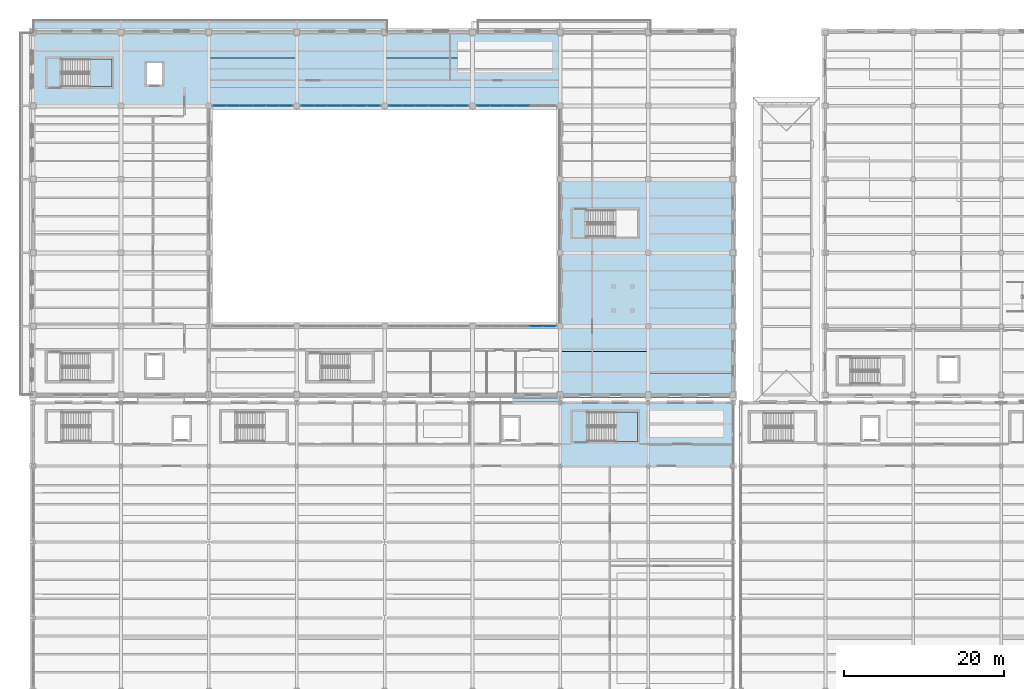
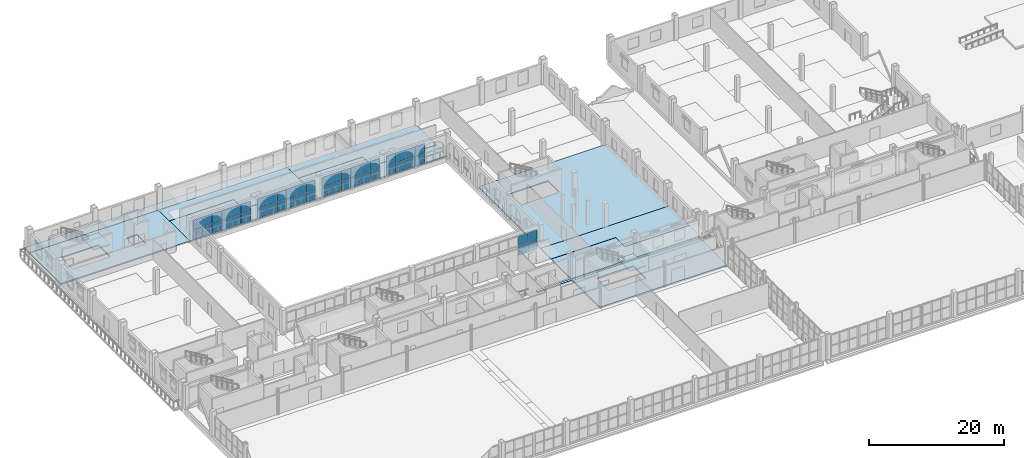
# One storey, part 106 of 156: 48 plates, 13 slabs, 7 elements without a shape of their own.
"""IFC4 building model written with IfcOpenShell, lengths in metres."""

from ifc_helpers import new_model, si_unit, direction, frame, origin, origin_2d, place, context, subcontext, project, spatial, polyline, rectangle, outline, extrude, material, layer, layer_set, type_object, element, aggregate, save


model = new_model("IFC4")

# Units and contexts
model_context = context("Model", 3, precision=1e-05, world=origin(), true_north=direction((0.0, 1.0)))
body_context = subcontext(model_context, "Body", "Model", "MODEL_VIEW")
ifc_project = project(units=[si_unit("LENGTHUNIT", "METRE"), si_unit("AREAUNIT", "SQUARE_METRE"), si_unit("VOLUMEUNIT", "CUBIC_METRE"), si_unit("PLANEANGLEUNIT", "RADIAN"), si_unit("MASSUNIT", "GRAM", prefix="KILO")], contexts=[model_context])

# Site, building, storey
site_placement = place(None, origin())
site = spatial("IfcSite", under=ifc_project, at=site_placement, CompositionType="ELEMENT")
building_placement = place(site_placement, origin())
building = spatial("IfcBuilding", under=site, at=building_placement, Name="Caurita Quay Ferry Terminal", CompositionType="ELEMENT")
storey_placement = place(building_placement, frame((0.0, 0.0, 5.39990234375)))
storey = spatial("IfcBuildingStorey", under=building, at=storey_placement, Name="L01", CompositionType="ELEMENT", Elevation=5.39990234375)

# Curtain wall, plates
ifc_material_1 = material(Name="Laminated solar-control insulated glass", Category="glass")
curtain_wall_type = type_object("IfcCurtainWallType", Name="CW-SYS-23", PredefinedType="NOTDEFINED", material=ifc_material_1)
curtain_wall_1_placement = place(storey_placement, origin())
curtain_wall_1 = element("IfcCurtainWall", 1, at=curtain_wall_1_placement, inside=storey, type_object=curtain_wall_type, Name="L01 Courtyard Cloister Storefront 159", PredefinedType="NOTDEFINED")
ifc_layer_1 = layer(ifc_material_1, 0.02392578125, Name="Laminated low-e hurricane-rated glazing unit 24 mm")
ifc_layer_set_1 = layer_set([ifc_layer_1], Name="Laminated solar-control insulated glass")
plate_type = type_object("IfcPlateType", Name="CW-PNL-24", PredefinedType="CURTAIN_PANEL", material=ifc_layer_set_1)
plate_1_placement = place(storey_placement, frame((62.97509765625, 80.199951171875, 0.05810546875), z_axis=(0.0, 0.0, 1.0), x_axis=(1.0, 0.0, 0.0)))
plate_1 = element("IfcPlate", 2, at=plate_1_placement, type_object=plate_type, Name="CW-CRT-159 Glazing Panel 9", PredefinedType="CURTAIN_PANEL", context=body_context, shape_type="SweptSolid", body=[
    extrude(rectangle(XDim=1.593994140625, YDim=0.02392578125, at=origin_2d()), origin(), (0.0, 0.0, 1.0), 1.714111328125),
])
plate_2_placement = place(storey_placement, frame((62.97509765625, 80.199951171875, 1.828125), z_axis=(0.0, 0.0, 1.0), x_axis=(1.0, 0.0, 0.0)))
plate_2 = element("IfcPlate", 3, at=plate_2_placement, type_object=plate_type, Name="CW-CRT-159 Glazing Panel 10", PredefinedType="CURTAIN_PANEL", context=body_context, shape_type="SweptSolid", body=[
    extrude(rectangle(XDim=1.593994140625, YDim=0.02392578125, at=origin_2d()), origin(), (0.0, 0.0, 1.0), 1.714111328125),
])
plate_3_placement = place(storey_placement, frame((64.610107421875, 80.199951171875, 0.05810546875), z_axis=(0.0, 0.0, 1.0), x_axis=(1.0, 0.0, 0.0)))
plate_3 = element("IfcPlate", 4, at=plate_3_placement, type_object=plate_type, Name="CW-CRT-159 Glazing Panel 11", PredefinedType="CURTAIN_PANEL", context=body_context, shape_type="SweptSolid", body=[
    extrude(rectangle(XDim=1.56396484375, YDim=0.02392578125, at=origin_2d()), origin(), (0.0, 0.0, 1.0), 1.714111328125),
])
plate_4_placement = place(storey_placement, frame((64.610107421875, 80.199951171875, 1.828125), z_axis=(0.0, 0.0, 1.0), x_axis=(1.0, 0.0, 0.0)))
plate_4 = element("IfcPlate", 5, at=plate_4_placement, type_object=plate_type, Name="CW-CRT-159 Glazing Panel 12", PredefinedType="CURTAIN_PANEL", context=body_context, shape_type="SweptSolid", body=[
    extrude(rectangle(XDim=1.56396484375, YDim=0.02392578125, at=origin_2d()), origin(), (0.0, 0.0, 1.0), 1.714111328125),
])
aggregate(curtain_wall_1, [plate_1, plate_2, plate_3, plate_4])

curtain_wall_2_placement = place(storey_placement, origin())
curtain_wall_2 = element("IfcCurtainWall", 6, at=curtain_wall_2_placement, inside=storey, type_object=curtain_wall_type, Name="L01 Courtyard Cloister Storefront 160", PredefinedType="NOTDEFINED")
plate_5_placement = place(storey_placement, frame((23.389892578125, 107.800048828125, 0.05810546875), z_axis=(0.0, 0.0, 1.0), x_axis=(1.0, 0.0, 0.0)))
plate_5 = element("IfcPlate", 7, at=plate_5_placement, type_object=plate_type, Name="CW-CRT-160 Glazing Panel 1", PredefinedType="CURTAIN_PANEL", context=body_context, shape_type="SweptSolid", body=[
    extrude(rectangle(XDim=1.56396484375, YDim=0.02392578125, at=origin_2d()), origin(), (0.0, 0.0, 1.0), 1.714111328125),
])
plate_6_placement = place(storey_placement, frame((23.389892578125, 107.800048828125, 1.828125), z_axis=(0.0, 0.0, 1.0), x_axis=(1.0, 0.0, 0.0)))
plate_6 = element("IfcPlate", 8, at=plate_6_placement, type_object=plate_type, Name="CW-CRT-160 Glazing Panel 2", PredefinedType="CURTAIN_PANEL", context=body_context, shape_type="SweptSolid", body=[
    extrude(rectangle(XDim=1.56396484375, YDim=0.02392578125, at=origin_2d()), origin(), (0.0, 0.0, 1.0), 1.714111328125),
])
plate_7_placement = place(storey_placement, frame((25.02490234375, 107.800048828125, 0.05810546875), z_axis=(0.0, 0.0, 1.0), x_axis=(1.0, 0.0, 0.0)))
plate_7 = element("IfcPlate", 9, at=plate_7_placement, type_object=plate_type, Name="CW-CRT-160 Glazing Panel 3", PredefinedType="CURTAIN_PANEL", context=body_context, shape_type="SweptSolid", body=[
    extrude(rectangle(XDim=1.593994140625, YDim=0.02392578125, at=origin_2d()), origin(), (0.0, 0.0, 1.0), 1.714111328125),
])
plate_8_placement = place(storey_placement, frame((25.02490234375, 107.800048828125, 1.828125), z_axis=(0.0, 0.0, 1.0), x_axis=(1.0, 0.0, 0.0)))
plate_8 = element("IfcPlate", 10, at=plate_8_placement, type_object=plate_type, Name="CW-CRT-160 Glazing Panel 4", PredefinedType="CURTAIN_PANEL", context=body_context, shape_type="SweptSolid", body=[
    extrude(rectangle(XDim=1.593994140625, YDim=0.02392578125, at=origin_2d()), origin(), (0.0, 0.0, 1.0), 1.714111328125),
])
plate_9_placement = place(storey_placement, frame((26.675048828125, 107.800048828125, 0.05810546875), z_axis=(0.0, 0.0, 1.0), x_axis=(1.0, 0.0, 0.0)))
plate_9 = element("IfcPlate", 11, at=plate_9_placement, type_object=plate_type, Name="CW-CRT-160 Glazing Panel 5", PredefinedType="CURTAIN_PANEL", context=body_context, shape_type="SweptSolid", body=[
    extrude(rectangle(XDim=1.593994140625, YDim=0.02392578125, at=origin_2d()), origin(), (0.0, 0.0, 1.0), 1.714111328125),
])
plate_10_placement = place(storey_placement, frame((26.675048828125, 107.800048828125, 1.828125), z_axis=(0.0, 0.0, 1.0), x_axis=(1.0, 0.0, 0.0)))
plate_10 = element("IfcPlate", 12, at=plate_10_placement, type_object=plate_type, Name="CW-CRT-160 Glazing Panel 6", PredefinedType="CURTAIN_PANEL", context=body_context, shape_type="SweptSolid", body=[
    extrude(rectangle(XDim=1.593994140625, YDim=0.02392578125, at=origin_2d()), origin(), (0.0, 0.0, 1.0), 1.714111328125),
])
plate_11_placement = place(storey_placement, frame((28.324951171875, 107.800048828125, 0.05810546875), z_axis=(0.0, 0.0, 1.0), x_axis=(1.0, 0.0, 0.0)))
plate_11 = element("IfcPlate", 13, at=plate_11_placement, type_object=plate_type, Name="CW-CRT-160 Glazing Panel 7", PredefinedType="CURTAIN_PANEL", context=body_context, shape_type="SweptSolid", body=[
    extrude(rectangle(XDim=1.593994140625, YDim=0.02392578125, at=origin_2d()), origin(), (0.0, 0.0, 1.0), 1.714111328125),
])
plate_12_placement = place(storey_placement, frame((28.324951171875, 107.800048828125, 1.828125), z_axis=(0.0, 0.0, 1.0), x_axis=(1.0, 0.0, 0.0)))
plate_12 = element("IfcPlate", 14, at=plate_12_placement, type_object=plate_type, Name="CW-CRT-160 Glazing Panel 8", PredefinedType="CURTAIN_PANEL", context=body_context, shape_type="SweptSolid", body=[
    extrude(rectangle(XDim=1.593994140625, YDim=0.02392578125, at=origin_2d()), origin(), (0.0, 0.0, 1.0), 1.714111328125),
])
plate_13_placement = place(storey_placement, frame((29.97509765625, 107.800048828125, 0.05810546875), z_axis=(0.0, 0.0, 1.0), x_axis=(1.0, 0.0, 0.0)))
plate_13 = element("IfcPlate", 15, at=plate_13_placement, type_object=plate_type, Name="CW-CRT-160 Glazing Panel 9", PredefinedType="CURTAIN_PANEL", context=body_context, shape_type="SweptSolid", body=[
    extrude(rectangle(XDim=1.593994140625, YDim=0.02392578125, at=origin_2d()), origin(), (0.0, 0.0, 1.0), 1.714111328125),
])
plate_14_placement = place(storey_placement, frame((29.97509765625, 107.800048828125, 1.828125), z_axis=(0.0, 0.0, 1.0), x_axis=(1.0, 0.0, 0.0)))
plate_14 = element("IfcPlate", 16, at=plate_14_placement, type_object=plate_type, Name="CW-CRT-160 Glazing Panel 10", PredefinedType="CURTAIN_PANEL", context=body_context, shape_type="SweptSolid", body=[
    extrude(rectangle(XDim=1.593994140625, YDim=0.02392578125, at=origin_2d()), origin(), (0.0, 0.0, 1.0), 1.714111328125),
])
plate_15_placement = place(storey_placement, frame((31.610107421875, 107.800048828125, 0.05810546875), z_axis=(0.0, 0.0, 1.0), x_axis=(1.0, 0.0, 0.0)))
plate_15 = element("IfcPlate", 17, at=plate_15_placement, type_object=plate_type, Name="CW-CRT-160 Glazing Panel 11", PredefinedType="CURTAIN_PANEL", context=body_context, shape_type="SweptSolid", body=[
    extrude(rectangle(XDim=1.56396484375, YDim=0.02392578125, at=origin_2d()), origin(), (0.0, 0.0, 1.0), 1.714111328125),
])
plate_16_placement = place(storey_placement, frame((31.610107421875, 107.800048828125, 1.828125), z_axis=(0.0, 0.0, 1.0), x_axis=(1.0, 0.0, 0.0)))
plate_16 = element("IfcPlate", 18, at=plate_16_placement, type_object=plate_type, Name="CW-CRT-160 Glazing Panel 12", PredefinedType="CURTAIN_PANEL", context=body_context, shape_type="SweptSolid", body=[
    extrude(rectangle(XDim=1.56396484375, YDim=0.02392578125, at=origin_2d()), origin(), (0.0, 0.0, 1.0), 1.714111328125),
])
aggregate(curtain_wall_2, [plate_5, plate_6, plate_7, plate_8, plate_9, plate_10, plate_11, plate_12, plate_13, plate_14, plate_15, plate_16])

curtain_wall_3_placement = place(storey_placement, origin())
curtain_wall_3 = element("IfcCurtainWall", 19, at=curtain_wall_3_placement, inside=storey, type_object=curtain_wall_type, Name="L01 Courtyard Cloister Storefront 161", PredefinedType="NOTDEFINED")
plate_17_placement = place(storey_placement, frame((34.389892578125, 107.800048828125, 0.05810546875), z_axis=(0.0, 0.0, 1.0), x_axis=(1.0, 0.0, 0.0)))
plate_17 = element("IfcPlate", 20, at=plate_17_placement, type_object=plate_type, Name="CW-CRT-161 Glazing Panel 1", PredefinedType="CURTAIN_PANEL", context=body_context, shape_type="SweptSolid", body=[
    extrude(rectangle(XDim=1.56396484375, YDim=0.02392578125, at=origin_2d()), origin(), (0.0, 0.0, 1.0), 1.714111328125),
])
plate_18_placement = place(storey_placement, frame((34.389892578125, 107.800048828125, 1.828125), z_axis=(0.0, 0.0, 1.0), x_axis=(1.0, 0.0, 0.0)))
plate_18 = element("IfcPlate", 21, at=plate_18_placement, type_object=plate_type, Name="CW-CRT-161 Glazing Panel 2", PredefinedType="CURTAIN_PANEL", context=body_context, shape_type="SweptSolid", body=[
    extrude(rectangle(XDim=1.56396484375, YDim=0.02392578125, at=origin_2d()), origin(), (0.0, 0.0, 1.0), 1.714111328125),
])
plate_19_placement = place(storey_placement, frame((36.02490234375, 107.800048828125, 0.05810546875), z_axis=(0.0, 0.0, 1.0), x_axis=(1.0, 0.0, 0.0)))
plate_19 = element("IfcPlate", 22, at=plate_19_placement, type_object=plate_type, Name="CW-CRT-161 Glazing Panel 3", PredefinedType="CURTAIN_PANEL", context=body_context, shape_type="SweptSolid", body=[
    extrude(rectangle(XDim=1.593994140625, YDim=0.02392578125, at=origin_2d()), origin(), (0.0, 0.0, 1.0), 1.714111328125),
])
plate_20_placement = place(storey_placement, frame((36.02490234375, 107.800048828125, 1.828125), z_axis=(0.0, 0.0, 1.0), x_axis=(1.0, 0.0, 0.0)))
plate_20 = element("IfcPlate", 23, at=plate_20_placement, type_object=plate_type, Name="CW-CRT-161 Glazing Panel 4", PredefinedType="CURTAIN_PANEL", context=body_context, shape_type="SweptSolid", body=[
    extrude(rectangle(XDim=1.593994140625, YDim=0.02392578125, at=origin_2d()), origin(), (0.0, 0.0, 1.0), 1.714111328125),
])
plate_21_placement = place(storey_placement, frame((37.675048828125, 107.800048828125, 0.05810546875), z_axis=(0.0, 0.0, 1.0), x_axis=(1.0, 0.0, 0.0)))
plate_21 = element("IfcPlate", 24, at=plate_21_placement, type_object=plate_type, Name="CW-CRT-161 Glazing Panel 5", PredefinedType="CURTAIN_PANEL", context=body_context, shape_type="SweptSolid", body=[
    extrude(rectangle(XDim=1.593994140625, YDim=0.02392578125, at=origin_2d()), origin(), (0.0, 0.0, 1.0), 1.714111328125),
])
plate_22_placement = place(storey_placement, frame((37.675048828125, 107.800048828125, 1.828125), z_axis=(0.0, 0.0, 1.0), x_axis=(1.0, 0.0, 0.0)))
plate_22 = element("IfcPlate", 25, at=plate_22_placement, type_object=plate_type, Name="CW-CRT-161 Glazing Panel 6", PredefinedType="CURTAIN_PANEL", context=body_context, shape_type="SweptSolid", body=[
    extrude(rectangle(XDim=1.593994140625, YDim=0.02392578125, at=origin_2d()), origin(), (0.0, 0.0, 1.0), 1.714111328125),
])
plate_23_placement = place(storey_placement, frame((39.324951171875, 107.800048828125, 0.05810546875), z_axis=(0.0, 0.0, 1.0), x_axis=(1.0, 0.0, 0.0)))
plate_23 = element("IfcPlate", 26, at=plate_23_placement, type_object=plate_type, Name="CW-CRT-161 Glazing Panel 7", PredefinedType="CURTAIN_PANEL", context=body_context, shape_type="SweptSolid", body=[
    extrude(rectangle(XDim=1.593994140625, YDim=0.02392578125, at=origin_2d()), origin(), (0.0, 0.0, 1.0), 1.714111328125),
])
plate_24_placement = place(storey_placement, frame((39.324951171875, 107.800048828125, 1.828125), z_axis=(0.0, 0.0, 1.0), x_axis=(1.0, 0.0, 0.0)))
plate_24 = element("IfcPlate", 27, at=plate_24_placement, type_object=plate_type, Name="CW-CRT-161 Glazing Panel 8", PredefinedType="CURTAIN_PANEL", context=body_context, shape_type="SweptSolid", body=[
    extrude(rectangle(XDim=1.593994140625, YDim=0.02392578125, at=origin_2d()), origin(), (0.0, 0.0, 1.0), 1.714111328125),
])
plate_25_placement = place(storey_placement, frame((40.97509765625, 107.800048828125, 0.05810546875), z_axis=(0.0, 0.0, 1.0), x_axis=(1.0, 0.0, 0.0)))
plate_25 = element("IfcPlate", 28, at=plate_25_placement, type_object=plate_type, Name="CW-CRT-161 Glazing Panel 9", PredefinedType="CURTAIN_PANEL", context=body_context, shape_type="SweptSolid", body=[
    extrude(rectangle(XDim=1.593994140625, YDim=0.02392578125, at=origin_2d()), origin(), (0.0, 0.0, 1.0), 1.714111328125),
])
plate_26_placement = place(storey_placement, frame((40.97509765625, 107.800048828125, 1.828125), z_axis=(0.0, 0.0, 1.0), x_axis=(1.0, 0.0, 0.0)))
plate_26 = element("IfcPlate", 29, at=plate_26_placement, type_object=plate_type, Name="CW-CRT-161 Glazing Panel 10", PredefinedType="CURTAIN_PANEL", context=body_context, shape_type="SweptSolid", body=[
    extrude(rectangle(XDim=1.593994140625, YDim=0.02392578125, at=origin_2d()), origin(), (0.0, 0.0, 1.0), 1.714111328125),
])
plate_27_placement = place(storey_placement, frame((42.610107421875, 107.800048828125, 0.05810546875), z_axis=(0.0, 0.0, 1.0), x_axis=(1.0, 0.0, 0.0)))
plate_27 = element("IfcPlate", 30, at=plate_27_placement, type_object=plate_type, Name="CW-CRT-161 Glazing Panel 11", PredefinedType="CURTAIN_PANEL", context=body_context, shape_type="SweptSolid", body=[
    extrude(rectangle(XDim=1.56396484375, YDim=0.02392578125, at=origin_2d()), origin(), (0.0, 0.0, 1.0), 1.714111328125),
])
plate_28_placement = place(storey_placement, frame((42.610107421875, 107.800048828125, 1.828125), z_axis=(0.0, 0.0, 1.0), x_axis=(1.0, 0.0, 0.0)))
plate_28 = element("IfcPlate", 31, at=plate_28_placement, type_object=plate_type, Name="CW-CRT-161 Glazing Panel 12", PredefinedType="CURTAIN_PANEL", context=body_context, shape_type="SweptSolid", body=[
    extrude(rectangle(XDim=1.56396484375, YDim=0.02392578125, at=origin_2d()), origin(), (0.0, 0.0, 1.0), 1.714111328125),
])
aggregate(curtain_wall_3, [plate_17, plate_18, plate_19, plate_20, plate_21, plate_22, plate_23, plate_24, plate_25, plate_26, plate_27, plate_28])

curtain_wall_4_placement = place(storey_placement, origin())
curtain_wall_4 = element("IfcCurtainWall", 32, at=curtain_wall_4_placement, inside=storey, type_object=curtain_wall_type, Name="L01 Courtyard Cloister Storefront 162", PredefinedType="NOTDEFINED")
plate_29_placement = place(storey_placement, frame((45.389892578125, 107.800048828125, 0.05810546875), z_axis=(0.0, 0.0, 1.0), x_axis=(1.0, 0.0, 0.0)))
plate_29 = element("IfcPlate", 33, at=plate_29_placement, type_object=plate_type, Name="CW-CRT-162 Glazing Panel 1", PredefinedType="CURTAIN_PANEL", context=body_context, shape_type="SweptSolid", body=[
    extrude(rectangle(XDim=1.56396484375, YDim=0.02392578125, at=origin_2d()), origin(), (0.0, 0.0, 1.0), 1.714111328125),
])
plate_30_placement = place(storey_placement, frame((45.389892578125, 107.800048828125, 1.828125), z_axis=(0.0, 0.0, 1.0), x_axis=(1.0, 0.0, 0.0)))
plate_30 = element("IfcPlate", 34, at=plate_30_placement, type_object=plate_type, Name="CW-CRT-162 Glazing Panel 2", PredefinedType="CURTAIN_PANEL", context=body_context, shape_type="SweptSolid", body=[
    extrude(rectangle(XDim=1.56396484375, YDim=0.02392578125, at=origin_2d()), origin(), (0.0, 0.0, 1.0), 1.714111328125),
])
plate_31_placement = place(storey_placement, frame((47.02490234375, 107.800048828125, 0.05810546875), z_axis=(0.0, 0.0, 1.0), x_axis=(1.0, 0.0, 0.0)))
plate_31 = element("IfcPlate", 35, at=plate_31_placement, type_object=plate_type, Name="CW-CRT-162 Glazing Panel 3", PredefinedType="CURTAIN_PANEL", context=body_context, shape_type="SweptSolid", body=[
    extrude(rectangle(XDim=1.593994140625, YDim=0.02392578125, at=origin_2d()), origin(), (0.0, 0.0, 1.0), 1.714111328125),
])
plate_32_placement = place(storey_placement, frame((47.02490234375, 107.800048828125, 1.828125), z_axis=(0.0, 0.0, 1.0), x_axis=(1.0, 0.0, 0.0)))
plate_32 = element("IfcPlate", 36, at=plate_32_placement, type_object=plate_type, Name="CW-CRT-162 Glazing Panel 4", PredefinedType="CURTAIN_PANEL", context=body_context, shape_type="SweptSolid", body=[
    extrude(rectangle(XDim=1.593994140625, YDim=0.02392578125, at=origin_2d()), origin(), (0.0, 0.0, 1.0), 1.714111328125),
])
plate_33_placement = place(storey_placement, frame((48.675048828125, 107.800048828125, 0.05810546875), z_axis=(0.0, 0.0, 1.0), x_axis=(1.0, 0.0, 0.0)))
plate_33 = element("IfcPlate", 37, at=plate_33_placement, type_object=plate_type, Name="CW-CRT-162 Glazing Panel 5", PredefinedType="CURTAIN_PANEL", context=body_context, shape_type="SweptSolid", body=[
    extrude(rectangle(XDim=1.593994140625, YDim=0.02392578125, at=origin_2d()), origin(), (0.0, 0.0, 1.0), 1.714111328125),
])
plate_34_placement = place(storey_placement, frame((48.675048828125, 107.800048828125, 1.828125), z_axis=(0.0, 0.0, 1.0), x_axis=(1.0, 0.0, 0.0)))
plate_34 = element("IfcPlate", 38, at=plate_34_placement, type_object=plate_type, Name="CW-CRT-162 Glazing Panel 6", PredefinedType="CURTAIN_PANEL", context=body_context, shape_type="SweptSolid", body=[
    extrude(rectangle(XDim=1.593994140625, YDim=0.02392578125, at=origin_2d()), origin(), (0.0, 0.0, 1.0), 1.714111328125),
])
plate_35_placement = place(storey_placement, frame((50.324951171875, 107.800048828125, 0.05810546875), z_axis=(0.0, 0.0, 1.0), x_axis=(1.0, 0.0, 0.0)))
plate_35 = element("IfcPlate", 39, at=plate_35_placement, type_object=plate_type, Name="CW-CRT-162 Glazing Panel 7", PredefinedType="CURTAIN_PANEL", context=body_context, shape_type="SweptSolid", body=[
    extrude(rectangle(XDim=1.593994140625, YDim=0.02392578125, at=origin_2d()), origin(), (0.0, 0.0, 1.0), 1.714111328125),
])
plate_36_placement = place(storey_placement, frame((50.324951171875, 107.800048828125, 1.828125), z_axis=(0.0, 0.0, 1.0), x_axis=(1.0, 0.0, 0.0)))
plate_36 = element("IfcPlate", 40, at=plate_36_placement, type_object=plate_type, Name="CW-CRT-162 Glazing Panel 8", PredefinedType="CURTAIN_PANEL", context=body_context, shape_type="SweptSolid", body=[
    extrude(rectangle(XDim=1.593994140625, YDim=0.02392578125, at=origin_2d()), origin(), (0.0, 0.0, 1.0), 1.714111328125),
])
plate_37_placement = place(storey_placement, frame((51.97509765625, 107.800048828125, 0.05810546875), z_axis=(0.0, 0.0, 1.0), x_axis=(1.0, 0.0, 0.0)))
plate_37 = element("IfcPlate", 41, at=plate_37_placement, type_object=plate_type, Name="CW-CRT-162 Glazing Panel 9", PredefinedType="CURTAIN_PANEL", context=body_context, shape_type="SweptSolid", body=[
    extrude(rectangle(XDim=1.593994140625, YDim=0.02392578125, at=origin_2d()), origin(), (0.0, 0.0, 1.0), 1.714111328125),
])
plate_38_placement = place(storey_placement, frame((51.97509765625, 107.800048828125, 1.828125), z_axis=(0.0, 0.0, 1.0), x_axis=(1.0, 0.0, 0.0)))
plate_38 = element("IfcPlate", 42, at=plate_38_placement, type_object=plate_type, Name="CW-CRT-162 Glazing Panel 10", PredefinedType="CURTAIN_PANEL", context=body_context, shape_type="SweptSolid", body=[
    extrude(rectangle(XDim=1.593994140625, YDim=0.02392578125, at=origin_2d()), origin(), (0.0, 0.0, 1.0), 1.714111328125),
])
plate_39_placement = place(storey_placement, frame((53.610107421875, 107.800048828125, 0.05810546875), z_axis=(0.0, 0.0, 1.0), x_axis=(1.0, 0.0, 0.0)))
plate_39 = element("IfcPlate", 43, at=plate_39_placement, type_object=plate_type, Name="CW-CRT-162 Glazing Panel 11", PredefinedType="CURTAIN_PANEL", context=body_context, shape_type="SweptSolid", body=[
    extrude(rectangle(XDim=1.56396484375, YDim=0.02392578125, at=origin_2d()), origin(), (0.0, 0.0, 1.0), 1.714111328125),
])
plate_40_placement = place(storey_placement, frame((53.610107421875, 107.800048828125, 1.828125), z_axis=(0.0, 0.0, 1.0), x_axis=(1.0, 0.0, 0.0)))
plate_40 = element("IfcPlate", 44, at=plate_40_placement, type_object=plate_type, Name="CW-CRT-162 Glazing Panel 12", PredefinedType="CURTAIN_PANEL", context=body_context, shape_type="SweptSolid", body=[
    extrude(rectangle(XDim=1.56396484375, YDim=0.02392578125, at=origin_2d()), origin(), (0.0, 0.0, 1.0), 1.714111328125),
])
aggregate(curtain_wall_4, [plate_29, plate_30, plate_31, plate_32, plate_33, plate_34, plate_35, plate_36, plate_37, plate_38, plate_39, plate_40])

curtain_wall_5_placement = place(storey_placement, origin())
curtain_wall_5 = element("IfcCurtainWall", 45, at=curtain_wall_5_placement, inside=storey, type_object=curtain_wall_type, Name="L01 Courtyard Cloister Storefront 163", PredefinedType="NOTDEFINED")
plate_41_placement = place(storey_placement, frame((56.389892578125, 107.800048828125, 0.05810546875), z_axis=(0.0, 0.0, 1.0), x_axis=(1.0, 0.0, 0.0)))
plate_41 = element("IfcPlate", 46, at=plate_41_placement, type_object=plate_type, Name="CW-CRT-163 Glazing Panel 1", PredefinedType="CURTAIN_PANEL", context=body_context, shape_type="SweptSolid", body=[
    extrude(rectangle(XDim=1.56396484375, YDim=0.02392578125, at=origin_2d()), origin(), (0.0, 0.0, 1.0), 1.714111328125),
])
plate_42_placement = place(storey_placement, frame((56.389892578125, 107.800048828125, 1.828125), z_axis=(0.0, 0.0, 1.0), x_axis=(1.0, 0.0, 0.0)))
plate_42 = element("IfcPlate", 47, at=plate_42_placement, type_object=plate_type, Name="CW-CRT-163 Glazing Panel 2", PredefinedType="CURTAIN_PANEL", context=body_context, shape_type="SweptSolid", body=[
    extrude(rectangle(XDim=1.56396484375, YDim=0.02392578125, at=origin_2d()), origin(), (0.0, 0.0, 1.0), 1.714111328125),
])
plate_43_placement = place(storey_placement, frame((58.02490234375, 107.800048828125, 0.05810546875), z_axis=(0.0, 0.0, 1.0), x_axis=(1.0, 0.0, 0.0)))
plate_43 = element("IfcPlate", 48, at=plate_43_placement, type_object=plate_type, Name="CW-CRT-163 Glazing Panel 3", PredefinedType="CURTAIN_PANEL", context=body_context, shape_type="SweptSolid", body=[
    extrude(rectangle(XDim=1.593994140625, YDim=0.02392578125, at=origin_2d()), origin(), (0.0, 0.0, 1.0), 1.714111328125),
])
plate_44_placement = place(storey_placement, frame((58.02490234375, 107.800048828125, 1.828125), z_axis=(0.0, 0.0, 1.0), x_axis=(1.0, 0.0, 0.0)))
plate_44 = element("IfcPlate", 49, at=plate_44_placement, type_object=plate_type, Name="CW-CRT-163 Glazing Panel 4", PredefinedType="CURTAIN_PANEL", context=body_context, shape_type="SweptSolid", body=[
    extrude(rectangle(XDim=1.593994140625, YDim=0.02392578125, at=origin_2d()), origin(), (0.0, 0.0, 1.0), 1.714111328125),
])
plate_45_placement = place(storey_placement, frame((59.675048828125, 107.800048828125, 0.05810546875), z_axis=(0.0, 0.0, 1.0), x_axis=(1.0, 0.0, 0.0)))
plate_45 = element("IfcPlate", 50, at=plate_45_placement, type_object=plate_type, Name="CW-CRT-163 Glazing Panel 5", PredefinedType="CURTAIN_PANEL", context=body_context, shape_type="SweptSolid", body=[
    extrude(rectangle(XDim=1.593994140625, YDim=0.02392578125, at=origin_2d()), origin(), (0.0, 0.0, 1.0), 1.714111328125),
])
plate_46_placement = place(storey_placement, frame((59.675048828125, 107.800048828125, 1.828125), z_axis=(0.0, 0.0, 1.0), x_axis=(1.0, 0.0, 0.0)))
plate_46 = element("IfcPlate", 51, at=plate_46_placement, type_object=plate_type, Name="CW-CRT-163 Glazing Panel 6", PredefinedType="CURTAIN_PANEL", context=body_context, shape_type="SweptSolid", body=[
    extrude(rectangle(XDim=1.593994140625, YDim=0.02392578125, at=origin_2d()), origin(), (0.0, 0.0, 1.0), 1.714111328125),
])
plate_47_placement = place(storey_placement, frame((61.324951171875, 107.800048828125, 0.05810546875), z_axis=(0.0, 0.0, 1.0), x_axis=(1.0, 0.0, 0.0)))
plate_47 = element("IfcPlate", 52, at=plate_47_placement, type_object=plate_type, Name="CW-CRT-163 Glazing Panel 7", PredefinedType="CURTAIN_PANEL", context=body_context, shape_type="SweptSolid", body=[
    extrude(rectangle(XDim=1.593994140625, YDim=0.02392578125, at=origin_2d()), origin(), (0.0, 0.0, 1.0), 1.714111328125),
])
plate_48_placement = place(storey_placement, frame((61.324951171875, 107.800048828125, 1.828125), z_axis=(0.0, 0.0, 1.0), x_axis=(1.0, 0.0, 0.0)))
plate_48 = element("IfcPlate", 53, at=plate_48_placement, type_object=plate_type, Name="CW-CRT-163 Glazing Panel 8", PredefinedType="CURTAIN_PANEL", context=body_context, shape_type="SweptSolid", body=[
    extrude(rectangle(XDim=1.593994140625, YDim=0.02392578125, at=origin_2d()), origin(), (0.0, 0.0, 1.0), 1.714111328125),
])
aggregate(curtain_wall_5, [plate_41, plate_42, plate_43, plate_44, plate_45, plate_46, plate_47, plate_48])

# Slabs
ifc_material_2 = material(Name="Reinforced concrete C35/45", Category="concrete")
ifc_layer_2 = layer(ifc_material_2, 0.219970703125, Name="Reinforced concrete floor slab 220 mm")
ifc_layer_set_2 = layer_set([ifc_layer_2], Name="Reinforced concrete C35/45")
slab_type_1 = type_object("IfcSlabType", Name="SLB-BAL-220", PredefinedType="FLOOR", material=ifc_layer_set_2)
slab_1_placement = place(storey_placement, frame((0.0, 0.0, -0.219970703125)))
element("IfcSlab", 54, at=slab_1_placement, inside=storey, type_object=slab_type_1, Name="North Street West Portales Gallery Balcony", PredefinedType="FLOOR", context=body_context, shape_type="SweptSolid", body=[
    extrude(outline(polyline([(0.0, 117.0), (44.39990234375, 117.0), (44.39990234375, 118.550048828125), (0.0, 118.550048828125), (0.0, 117.0)])), origin(), (0.0, 0.0, 1.0), 0.219970703125),
])
ifc_layer_3 = layer(ifc_material_2, 0.300048828125, Name="Reinforced concrete floor slab 300 mm")
ifc_layer_set_3 = layer_set([ifc_layer_3], Name="Reinforced concrete C35/45")
slab_type_2 = type_object("IfcSlabType", Name="SLB-CONC-300", PredefinedType="FLOOR", material=ifc_layer_set_3)
slab_2_placement = place(storey_placement, frame((0.0, 0.0, -0.2998046875)))
element("IfcSlab", 55, at=slab_2_placement, inside=storey, type_object=slab_type_2, Name="L01 V1-FLR Slab 12", PredefinedType="FLOOR", context=body_context, shape_type="SweptSolid", body=[
    extrude(outline(polyline([(66.0, 62.699951171875), (87.75, 62.699951171875), (87.75, 70.75), (66.0, 70.75), (66.0, 62.699951171875)]), holes=[polyline([(69.35009765625, 65.800048828125), (75.64990234375, 65.800048828125), (75.64990234375, 69.4599609375), (69.35009765625, 69.4599609375), (69.35009765625, 65.800048828125)])]), origin(), (0.0, 0.0, 1.0), 0.2998046875),
])
ifc_layer_4 = layer(ifc_material_2, 0.219970703125, Name="Reinforced concrete floor slab 220 mm")
ifc_layer_set_4 = layer_set([ifc_layer_4], Name="Reinforced concrete C35/45")
slab_type_3 = type_object("IfcSlabType", Name="SLB-FLR-220", PredefinedType="FLOOR", material=ifc_layer_set_4)
slab_3_placement = place(storey_placement, frame((0.0, 0.0, -0.219970703125)))
element("IfcSlab", 56, at=slab_3_placement, inside=storey, type_object=slab_type_3, Name="L01 SJ4-E Slab 01", PredefinedType="FLOOR", context=body_context, shape_type="SweptSolid", body=[
    extrude(outline(polyline([(60.0, 70.760009765625), (66.0, 70.760009765625), (66.0, 71.18994140625), (60.0, 71.18994140625), (60.0, 70.760009765625)])), origin(), (0.0, 0.0, 1.0), 0.219970703125),
])
slab_4_placement = place(storey_placement, frame((0.0, 0.0, -0.219970703125)))
element("IfcSlab", 57, at=slab_4_placement, inside=storey, type_object=slab_type_3, Name="L01 V5-FLR Slab 04", PredefinedType="FLOOR", context=body_context, shape_type="SweptSolid", body=[
    extrude(outline(polyline([(0.0, 107.800048828125), (22.0, 107.800048828125), (22.0, 117.0), (0.0, 117.0), (0.0, 107.800048828125)]), holes=[polyline([(3.449951171875, 110.199951171875), (9.85009765625, 110.199951171875), (9.85009765625, 113.659912109375), (3.449951171875, 113.659912109375), (3.449951171875, 110.199951171875)]), polyline([(14.2548828125, 110.455078125), (16.14501953125, 110.455078125), (16.14501953125, 113.14501953125), (14.2548828125, 113.14501953125), (14.2548828125, 110.455078125)])]), origin(), (0.0, 0.0, 1.0), 0.219970703125),
])
slab_5_placement = place(storey_placement, frame((0.0, 0.0, -0.219970703125)))
element("IfcSlab", 58, at=slab_5_placement, inside=storey, type_object=slab_type_3, Name="L01 V5-FLR Slab 06A", PredefinedType="FLOOR", context=body_context, shape_type="SweptSolid", body=[
    extrude(outline(polyline([(22.0, 107.800048828125), (44.0, 107.800048828125), (44.0, 111.0048828125), (32.985107421875, 111.0048828125), (32.985107421875, 113.764892578125), (22.0, 113.764892578125), (22.0, 107.800048828125)])), origin(), (0.0, 0.0, 1.0), 0.219970703125),
])
slab_6_placement = place(storey_placement, frame((0.0, 0.0, -0.219970703125)))
element("IfcSlab", 59, at=slab_6_placement, inside=storey, type_object=slab_type_3, Name="L01 V5-FLR Slab 06B", PredefinedType="FLOOR", context=body_context, shape_type="SweptSolid", body=[
    extrude(outline(polyline([(33.014892578125, 111.034912109375), (44.0, 111.034912109375), (44.0, 117.0), (22.0, 117.0), (22.0, 113.794921875), (33.014892578125, 113.794921875), (33.014892578125, 111.034912109375)])), origin(), (0.0, 0.0, 1.0), 0.219970703125),
])
slab_7_placement = place(storey_placement, frame((0.0, 0.0, -0.219970703125)))
element("IfcSlab", 60, at=slab_7_placement, inside=storey, type_object=slab_type_3, Name="L01 V5-FLR Slab 08A", PredefinedType="FLOOR", context=body_context, shape_type="SweptSolid", body=[
    extrude(outline(polyline([(44.0, 107.800048828125), (66.0, 107.800048828125), (66.0, 111.0048828125), (54.985107421875, 111.0048828125), (54.985107421875, 113.764892578125), (44.0, 113.764892578125), (44.0, 107.800048828125)])), origin(), (0.0, 0.0, 1.0), 0.219970703125),
])
slab_8_placement = place(storey_placement, frame((0.0, 0.0, -0.219970703125)))
element("IfcSlab", 61, at=slab_8_placement, inside=storey, type_object=slab_type_3, Name="L01 V5-FLR Slab 08B", PredefinedType="FLOOR", context=body_context, shape_type="SweptSolid", body=[
    extrude(outline(polyline([(55.014892578125, 111.034912109375), (66.0, 111.034912109375), (66.0, 117.0), (44.0, 117.0), (44.0, 113.794921875), (55.014892578125, 113.794921875), (55.014892578125, 111.034912109375)])), origin(), (0.0, 0.0, 1.0), 0.219970703125),
])
slab_9_placement = place(storey_placement, frame((0.0, 0.0, -0.219970703125)))
element("IfcSlab", 62, at=slab_9_placement, inside=storey, type_object=slab_type_3, Name="L01 V5-FLR Slab 09A", PredefinedType="FLOOR", context=body_context, shape_type="SweptSolid", body=[
    extrude(outline(polyline([(66.0, 71.199951171875), (88.0, 71.199951171875), (88.0, 74.3349609375), (76.985107421875, 74.3349609375), (76.985107421875, 77.034912109375), (66.0, 77.034912109375), (66.0, 71.199951171875)])), origin(), (0.0, 0.0, 1.0), 0.219970703125),
])
slab_10_placement = place(storey_placement, frame((0.0, 0.0, -0.219970703125)))
element("IfcSlab", 63, at=slab_10_placement, inside=storey, type_object=slab_type_3, Name="L01 V5-FLR Slab 09B", PredefinedType="FLOOR", context=body_context, shape_type="SweptSolid", body=[
    extrude(outline(polyline([(77.014892578125, 74.364990234375), (88.0, 74.364990234375), (88.0, 80.199951171875), (66.0, 80.199951171875), (66.0, 77.06494140625), (77.014892578125, 77.06494140625), (77.014892578125, 74.364990234375)])), origin(), (0.0, 0.0, 1.0), 0.219970703125),
])
slab_11_placement = place(storey_placement, frame((0.0, 0.0, -0.219970703125)))
element("IfcSlab", 64, at=slab_11_placement, inside=storey, type_object=slab_type_3, Name="L01 V5-FLR Slab 10", PredefinedType="FLOOR", context=body_context, shape_type="SweptSolid", body=[
    extrude(outline(polyline([(66.0, 80.199951171875), (88.0, 80.199951171875), (88.0, 98.60009765625), (66.0, 98.60009765625), (66.0, 80.199951171875)]), holes=[polyline([(69.199951171875, 91.39990234375), (75.64990234375, 91.39990234375), (75.64990234375, 94.760009765625), (69.199951171875, 94.760009765625), (69.199951171875, 91.39990234375)])]), origin(), (0.0, 0.0, 1.0), 0.219970703125),
])

# Stair, slab
stair_type_1 = type_object("IfcStairType", Name="STR-DL-02", PredefinedType="HALF_TURN_STAIR", material=ifc_material_2)
stair_1_placement = place(storey_placement, origin())
stair_1 = element("IfcStair", 65, at=stair_1_placement, inside=storey, type_object=stair_type_1, Name="L01 Protected Exit Stair ST-01", PredefinedType="HALF_TURN_STAIR")
ifc_layer_5 = layer(ifc_material_2, 0.199951171875, Name="Reinforced concrete landing slab 200 mm")
ifc_layer_set_5 = layer_set([ifc_layer_5], Name="Reinforced concrete C35/45")
slab_type_4 = type_object("IfcSlabType", Name="SLB-LND-200", PredefinedType="LANDING", material=ifc_layer_set_5)
slab_12_placement = place(storey_placement, frame((0.0, 0.0, 2.050048828125)))
slab_12 = element("IfcSlab", 66, at=slab_12_placement, type_object=slab_type_4, Name="ST-01 landing 1", PredefinedType="LANDING", context=body_context, shape_type="SweptSolid", body=[
    extrude(outline(polyline([(7.050048828125, 110.199951171875), (9.85009765625, 110.199951171875), (9.85009765625, 113.659912109375), (7.050048828125, 113.659912109375), (7.050048828125, 110.199951171875)])), origin(), (0.0, 0.0, 1.0), 0.199951171875),
])
aggregate(stair_1, [slab_12])

stair_type_2 = type_object("IfcStairType", Name="STR-DL-08", PredefinedType="HALF_TURN_STAIR", material=ifc_material_2)
stair_2_placement = place(storey_placement, origin())
stair_2 = element("IfcStair", 67, at=stair_2_placement, inside=storey, type_object=stair_type_2, Name="L01 Protected Exit Stair ST-07", PredefinedType="HALF_TURN_STAIR")
slab_13_placement = place(storey_placement, frame((0.0, 0.0, 2.050048828125)))
slab_13 = element("IfcSlab", 68, at=slab_13_placement, type_object=slab_type_4, Name="ST-07 landing 1", PredefinedType="LANDING", context=body_context, shape_type="SweptSolid", body=[
    extrude(outline(polyline([(72.949951171875, 65.800048828125), (75.64990234375, 65.800048828125), (75.64990234375, 69.4599609375), (72.949951171875, 69.4599609375), (72.949951171875, 65.800048828125)])), origin(), (0.0, 0.0, 1.0), 0.199951171875),
])
aggregate(stair_2, [slab_13])

save(model, "model.ifc")
